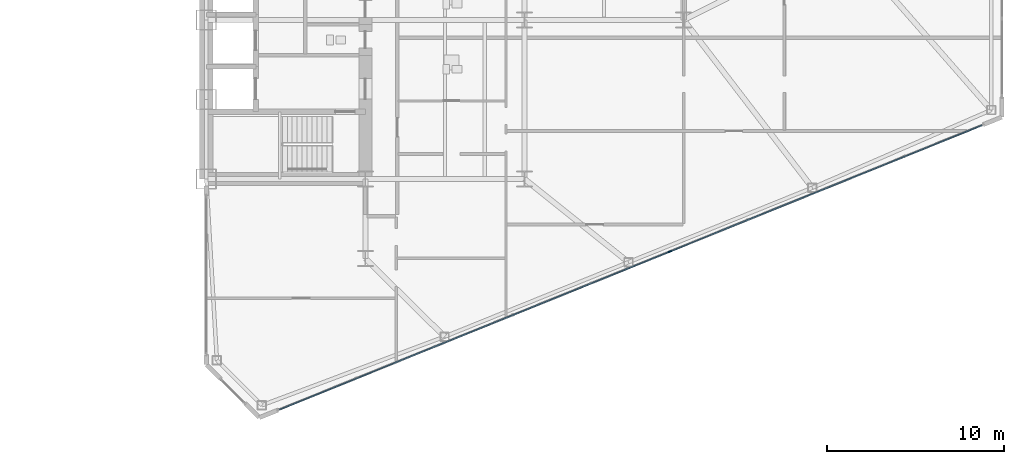
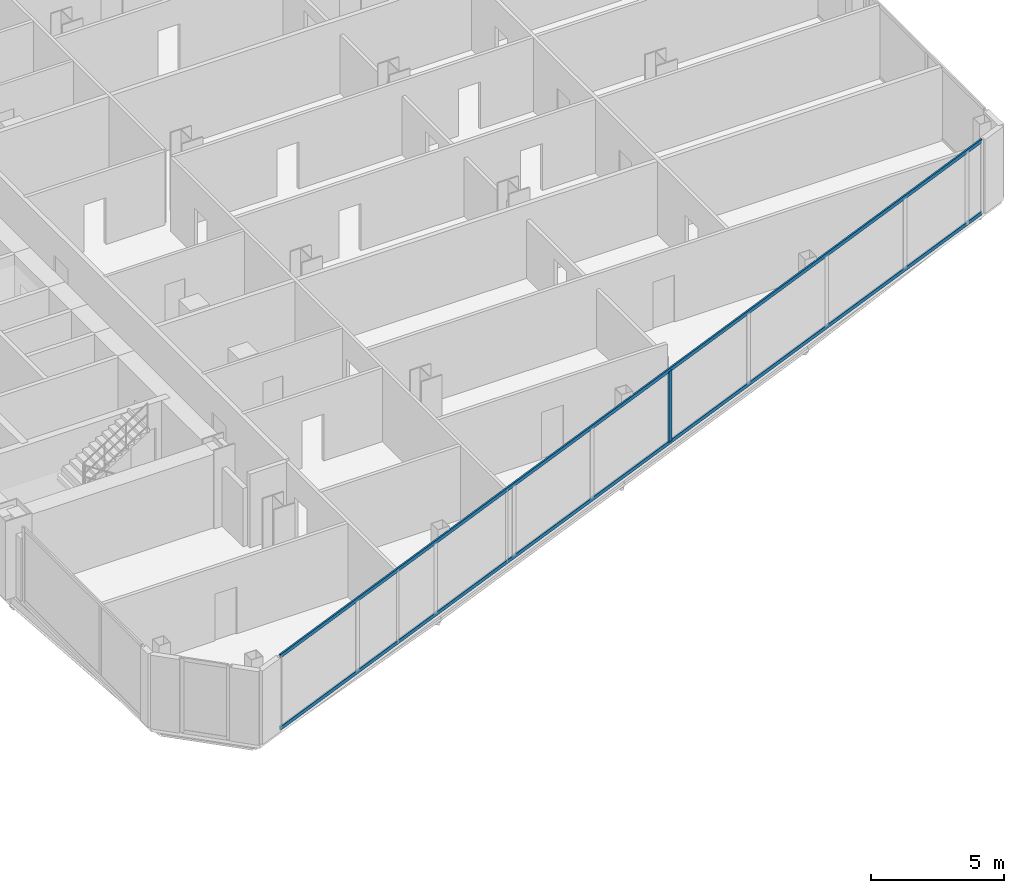
# One storey, part 10 of 25: 3 members, 1 element without a shape of its own.
"""IFC4 building model written with IfcOpenShell, lengths in metres."""

from ifc_helpers import new_model, si_unit, direction, frame, origin, origin_2d, place, context, subcontext, project, spatial, rectangle, extrude, source, transform, mapped, material, layer, layer_set, material_profile, profile_set, type_object, type_shapes, element, aggregate, save


model = new_model("IFC4")

# Units and contexts
model_context = context("Model", 3, precision=1e-05, world=origin(), true_north=direction((0.0, 1.0)))
body_context = subcontext(model_context, "Body", "Model", "MODEL_VIEW")
ifc_project = project(units=[si_unit("LENGTHUNIT", "METRE"), si_unit("AREAUNIT", "SQUARE_METRE"), si_unit("VOLUMEUNIT", "CUBIC_METRE"), si_unit("PLANEANGLEUNIT", "RADIAN"), si_unit("MASSUNIT", "GRAM", prefix="KILO")], contexts=[model_context])

# Site, building, storey
site_placement = place(None, origin())
site = spatial("IfcSite", under=ifc_project, at=site_placement, CompositionType="ELEMENT")
building_placement = place(site_placement, origin())
building = spatial("IfcBuilding", under=site, at=building_placement, Name="Seokmaru Belvedere", CompositionType="ELEMENT")
storey_placement = place(building_placement, frame((0.0, 0.0, 54.89990234375)))
storey = spatial("IfcBuildingStorey", under=building, at=storey_placement, Name="L14", CompositionType="ELEMENT", Elevation=54.89990234375)

# Curtain wall, members
ifc_material_1 = material(Name="Bronze Triple Insulating Glass", Category="glass")
ifc_layer = layer(ifc_material_1, 0.2099609375)
ifc_layer_set = layer_set([ifc_layer], Name="Bronze Triple Insulating Glass")
curtain_wall_type = type_object("IfcCurtainWallType", Name="Low-Rise Faceted Crystal Curtain Wall System CW-2", PredefinedType="NOTDEFINED", material=ifc_layer_set)
curtain_wall_placement = place(storey_placement, origin())
curtain_wall = element("IfcCurtainWall", 1, at=curtain_wall_placement, inside=storey, type_object=curtain_wall_type, Name="L14 Curtain Wall EF1", PredefinedType="NOTDEFINED")
ifc_material_2 = material(Name="Anodised Bronze Aluminium", Category="aluminium")
ifc_material_profile_1 = material_profile(ifc_material_2, rectangle(XDim=0.074951171875, YDim=0.2099609375, at=origin_2d()), Name="CW-M-75x210")
ifc_profile_set_1 = profile_set([ifc_material_profile_1], Name="Anodised Bronze Aluminium")
member_type_1 = type_object("IfcMemberType", Name="Bronze Unitised Mullion 75x210", PredefinedType="MULLION", material=ifc_profile_set_1)
shared_shape_1 = source(origin(), body_context, "Body", "SweptSolid", [
    extrude(rectangle(XDim=0.074951171875, YDim=0.2099609375, at=origin_2d()), origin(), (0.0, 0.0, 1.0), 3.239990234375),
])
type_shapes(member_type_1, [shared_shape_1])
member_1_placement = place(storey_placement, frame((53.71484375, -17.603515625, 0.070068359375), z_axis=(0.0, 0.0, 1.0), x_axis=(-0.375192321888, 0.926946989637, 0.0)))
member_1 = element("IfcMember", 2, at=member_1_placement, type_object=member_type_1, Name="CW:L14:EF1 Mullion 6", PredefinedType="MULLION", context=body_context, shape_type="MappedRepresentation", body=[
    mapped(shared_shape_1, transform((0.0, 0.0, 0.0), scale=1.0)),
])
ifc_material_profile_2 = material_profile(ifc_material_2, rectangle(XDim=0.070068359375, YDim=0.1650390625, at=origin_2d()), Name="CW-T-70x165")
ifc_profile_set_2 = profile_set([ifc_material_profile_2], Name="Anodised Bronze Aluminium")
member_type_2 = type_object("IfcMemberType", Name="Bronze Unitised Transom 70x165", PredefinedType="USERDEFINED", material=ifc_profile_set_2)
shared_shape_2 = source(origin(), body_context, "Body", "SweptSolid", [
    extrude(rectangle(XDim=0.070068359375, YDim=0.1650390625, at=origin_2d()), origin(), (0.0, 0.0, 1.0), 42.860107421875),
])
type_shapes(member_type_2, [shared_shape_2])
member_2_placement = place(storey_placement, frame((31.635498046875, -26.540283203125, 0.03515625), z_axis=(0.926948605599, 0.375188329481, 0.0), x_axis=(-0.375188329481, 0.926948605599, 0.0)))
member_2 = element("IfcMember", 3, at=member_2_placement, type_object=member_type_2, Name="CW:L14:EF1 Continuous Transom 1", ObjectType="TRANSOM", PredefinedType="USERDEFINED", context=body_context, shape_type="MappedRepresentation", body=[
    mapped(shared_shape_2, transform((0.0, 0.0, 0.0), scale=1.0)),
])
member_3_placement = place(storey_placement, frame((31.635498046875, -26.540283203125, 3.34521484375), z_axis=(0.926948605599, 0.375188329481, 0.0), x_axis=(-0.375188329481, 0.926948605599, 0.0)))
member_3 = element("IfcMember", 4, at=member_3_placement, type_object=member_type_2, Name="CW:L14:EF1 Continuous Transom 2", ObjectType="TRANSOM", PredefinedType="USERDEFINED", context=body_context, shape_type="MappedRepresentation", body=[
    mapped(shared_shape_2, transform((0.0, 0.0, 0.0), scale=1.0)),
])
aggregate(curtain_wall, [member_1, member_2, member_3])

save(model, "model.ifc")
